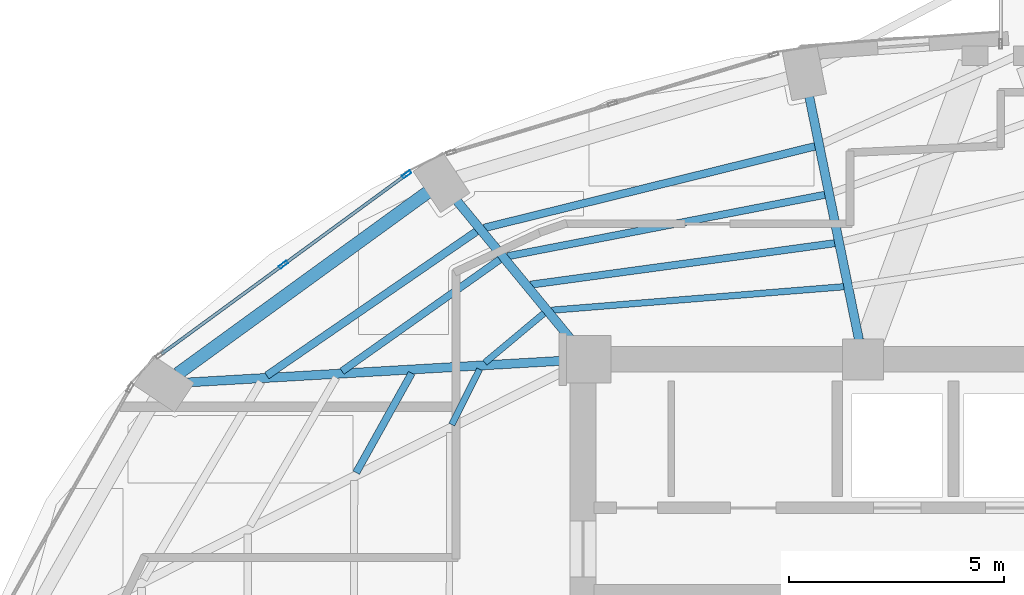
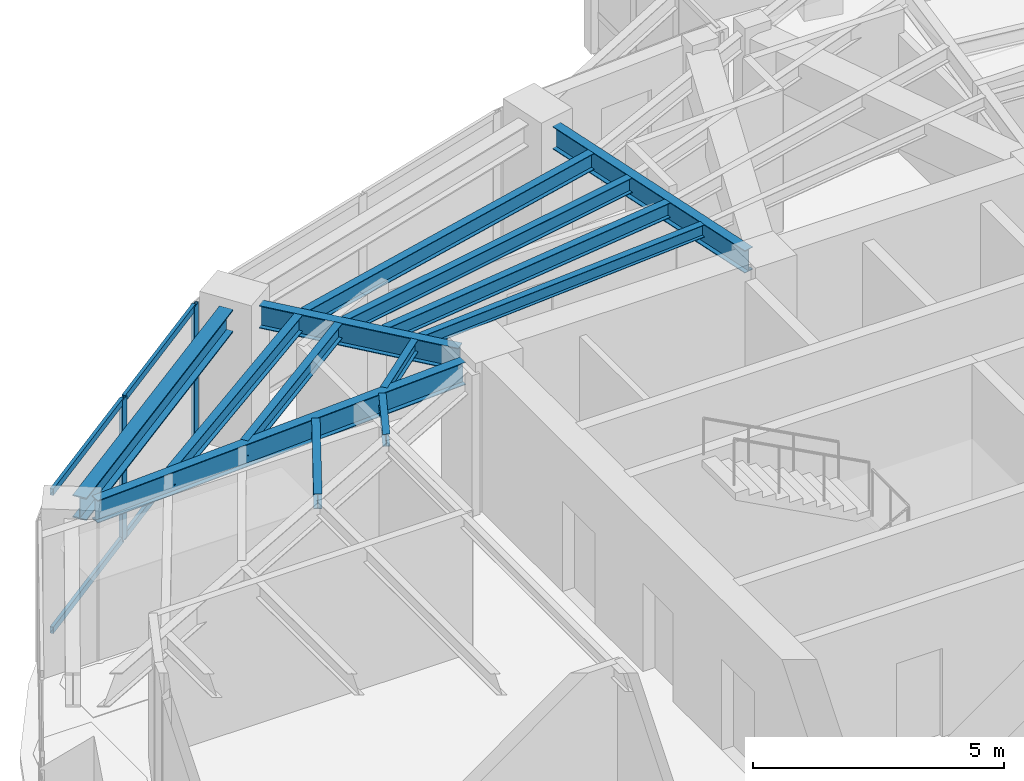
# One storey, part 7 of 20: 13 beams, 6 members, 1 element without a shape of its own.
"""IFC4 building model written with IfcOpenShell, lengths in metres."""

from ifc_helpers import new_model, si_unit, direction, frame, origin, origin_2d, place, context, subcontext, project, spatial, hollow_rectangle, i_section, extrude, material, layer, layer_set, material_profile, profile_set, type_object, element, aggregate, save


model = new_model("IFC4")

# Units and contexts
model_context = context("Model", 3, precision=1e-05, world=origin(), true_north=direction((0.0, 1.0)))
body_context = subcontext(model_context, "Body", "Model", "MODEL_VIEW")
ifc_project = project(units=[si_unit("LENGTHUNIT", "METRE"), si_unit("AREAUNIT", "SQUARE_METRE"), si_unit("VOLUMEUNIT", "CUBIC_METRE"), si_unit("PLANEANGLEUNIT", "RADIAN"), si_unit("MASSUNIT", "GRAM", prefix="KILO")], contexts=[model_context])

# Site, building, storey
site_placement = place(None, origin())
site = spatial("IfcSite", under=ifc_project, at=site_placement, CompositionType="ELEMENT")
building_placement = place(site_placement, origin())
building = spatial("IfcBuilding", under=site, at=building_placement, Name="Lazwardi Medical Tower", CompositionType="ELEMENT")
storey_placement = place(building_placement, frame((0.0, 0.0, 152.8798828125)))
storey = spatial("IfcBuildingStorey", under=building, at=storey_placement, Name="L39", CompositionType="ELEMENT", Elevation=152.8798828125)

# Beams
ifc_material_1 = material(Name="Steel S355", Category="steel")
ifc_material_profile_1 = material_profile(ifc_material_1, i_section(OverallWidth=0.300048828125, OverallDepth=0.550048828125, WebThickness=0.014892578125, FlangeThickness=0.029052734375, at=origin_2d()), Name="HEB 550")
ifc_profile_set_1 = profile_set([ifc_material_profile_1], Name="Steel S355")
beam_type_1 = type_object("IfcBeamType", Name="BM-RB-Z3", PredefinedType="BEAM", material=ifc_profile_set_1)
beam_1_placement = place(storey_placement, frame((22.689697265625, 39.479248046875, 3.153076171875), z_axis=(-0.809127570774, -0.587633026824, 0.0), x_axis=(0.587633026824, -0.809127570774, 0.0)))
element("IfcBeam", 1, at=beam_1_placement, inside=storey, type_object=beam_type_1, Name="Ring beam RB-04 B10 L39", PredefinedType="BEAM", context=body_context, shape_type="SweptSolid", body=[
    extrude(i_section(OverallWidth=0.300048828125, OverallDepth=0.550048828125, WebThickness=0.014892578125, FlangeThickness=0.029052734375, at=origin_2d()), origin(), (0.0, 0.0, 1.0), 7.170166015625),
])
ifc_material_profile_2 = material_profile(ifc_material_1, i_section(OverallWidth=0.2099609375, OverallDepth=0.550048828125, WebThickness=0.010986328125, FlangeThickness=0.01708984375, at=origin_2d()), Name="IPE 550")
ifc_profile_set_2 = profile_set([ifc_material_profile_2], Name="Steel S355")
beam_type_2 = type_object("IfcBeamType", Name="BM-RG-W2", PredefinedType="BEAM", material=ifc_profile_set_2)
beam_2_placement = place(storey_placement, frame((31.552001953125, 41.7001953125, 3.153076171875), z_axis=(0.200429485343, -0.979708130723, 0.0), x_axis=(0.979708130723, 0.200429485343, 0.0)))
element("IfcBeam", 2, at=beam_2_placement, inside=storey, type_object=beam_type_2, Name="Radial girder RG-03 R09 L39", PredefinedType="BEAM", context=body_context, shape_type="SweptSolid", body=[
    extrude(i_section(OverallWidth=0.2099609375, OverallDepth=0.550048828125, WebThickness=0.010986328125, FlangeThickness=0.01708984375, at=origin_2d()), origin(), (0.0, 0.0, 1.0), 5.766357421875),
])
beam_3_placement = place(storey_placement, frame((23.369384765625, 39.28173828125, 3.153076171875), z_axis=(0.635555639966, -0.772055068312, 0.0), x_axis=(0.772055068312, 0.635555639966, 0.0)))
element("IfcBeam", 3, at=beam_3_placement, inside=storey, type_object=beam_type_2, Name="Radial girder RG-03 R10 L39", PredefinedType="BEAM", context=body_context, shape_type="SweptSolid", body=[
    extrude(i_section(OverallWidth=0.2099609375, OverallDepth=0.550048828125, WebThickness=0.010986328125, FlangeThickness=0.01708984375, at=origin_2d()), origin(), (0.0, 0.0, 1.0), 4.233642578125),
])
beam_4_placement = place(storey_placement, frame((17.12353515625, 35.063232421875, 3.153076171875), z_axis=(0.998330154646, 0.057765927014, 0.0), x_axis=(-0.057765927014, 0.998330154646, 0.0)))
element("IfcBeam", 4, at=beam_4_placement, inside=storey, type_object=beam_type_2, Name="Radial girder RG-03 R11 L39", PredefinedType="BEAM", context=body_context, shape_type="SweptSolid", body=[
    extrude(i_section(OverallWidth=0.2099609375, OverallDepth=0.550048828125, WebThickness=0.010986328125, FlangeThickness=0.01708984375, at=origin_2d()), origin(), (0.0, 0.0, 1.0), 8.757080078125),
])
ifc_material_profile_3 = material_profile(ifc_material_1, i_section(OverallWidth=0.179931640625, OverallDepth=0.39990234375, WebThickness=0.008544921875, FlangeThickness=0.013427734375, at=origin_2d()), Name="IPE 400")
ifc_profile_set_3 = profile_set([ifc_material_profile_3], Name="Steel S355")
beam_type_3 = type_object("IfcBeamType", Name="BM-SJ-01", PredefinedType="JOIST", material=ifc_profile_set_3)
beam_5_placement = place(storey_placement, frame((31.68603515625, 40.54638671875, 3.22802734375), z_axis=(-0.970912648168, -0.239433977597, 0.0), x_axis=(0.239433977597, -0.970912648168, 0.0)))
element("IfcBeam", 5, at=beam_5_placement, inside=storey, type_object=beam_type_3, Name="Secondary joist SJ-01 R1 B09 L39", PredefinedType="JOIST", context=body_context, shape_type="SweptSolid", body=[
    extrude(i_section(OverallWidth=0.179931640625, OverallDepth=0.39990234375, WebThickness=0.008544921875, FlangeThickness=0.013427734375, at=origin_2d()), origin(), (0.0, 0.0, 1.0), 7.91162109375),
])
beam_6_placement = place(storey_placement, frame((23.8251953125, 38.5712890625, 3.22802734375), z_axis=(-0.823932256005, -0.566688307198, 0.0), x_axis=(0.566688307198, -0.823932256005, 0.0)))
element("IfcBeam", 6, at=beam_6_placement, inside=storey, type_object=beam_type_3, Name="Secondary joist SJ-01 R1 B10 L39", PredefinedType="JOIST", context=body_context, shape_type="SweptSolid", body=[
    extrude(i_section(OverallWidth=0.179931640625, OverallDepth=0.39990234375, WebThickness=0.008544921875, FlangeThickness=0.013427734375, at=origin_2d()), origin(), (0.0, 0.0, 1.0), 5.91162109375),
])
ifc_material_profile_4 = material_profile(ifc_material_1, i_section(OverallWidth=0.169921875, OverallDepth=0.360107421875, WebThickness=0.008056640625, FlangeThickness=0.0126953125, at=origin_2d()), Name="IPE 360")
ifc_profile_set_4 = profile_set([ifc_material_profile_4], Name="Steel S355")
beam_type_4 = type_object("IfcBeamType", Name="BM-SJ-02", PredefinedType="JOIST", material=ifc_profile_set_4)
beam_7_placement = place(storey_placement, frame((31.916015625, 39.42138671875, 3.248046875), z_axis=(-0.981753035865, -0.190160396953, 0.0), x_axis=(0.190160396953, -0.981753035865, 0.0)))
element("IfcBeam", 7, at=beam_7_placement, inside=storey, type_object=beam_type_4, Name="Secondary joist SJ-02 R2 B09 L39", PredefinedType="JOIST", context=body_context, shape_type="SweptSolid", body=[
    extrude(i_section(OverallWidth=0.169921875, OverallDepth=0.360107421875, WebThickness=0.008056640625, FlangeThickness=0.0126953125, at=origin_2d()), origin(), (0.0, 0.0, 1.0), 7.50927734375),
])
beam_8_placement = place(storey_placement, frame((24.364013671875, 37.91650390625, 3.248046875), z_axis=(-0.816108950798, -0.577898070967, 0.0), x_axis=(0.577898070967, -0.816108950798, 0.0)))
element("IfcBeam", 8, at=beam_8_placement, inside=storey, type_object=beam_type_4, Name="Secondary joist SJ-02 R2 B10 L39", PredefinedType="JOIST", context=body_context, shape_type="SweptSolid", body=[
    extrude(i_section(OverallWidth=0.169921875, OverallDepth=0.360107421875, WebThickness=0.008056640625, FlangeThickness=0.0126953125, at=origin_2d()), origin(), (0.0, 0.0, 1.0), 4.487060546875),
])
beam_9_placement = place(storey_placement, frame((32.146484375, 38.297119140625, 3.248046875), z_axis=(-0.990832043476, -0.135099450852, 0.0), x_axis=(0.135099450852, -0.990832043476, 0.0)))
element("IfcBeam", 9, at=beam_9_placement, inside=storey, type_object=beam_type_4, Name="Secondary joist SJ-02 R3 B09 L39", PredefinedType="JOIST", context=body_context, shape_type="SweptSolid", body=[
    extrude(i_section(OverallWidth=0.169921875, OverallDepth=0.360107421875, WebThickness=0.008056640625, FlangeThickness=0.0126953125, at=origin_2d()), origin(), (0.0, 0.0, 1.0), 7.129150390625),
])
beam_10_placement = place(storey_placement, frame((22.3203125, 35.279296875, 3.248046875), z_axis=(-0.487099444348, -0.87334651274, 0.0), x_axis=(0.87334651274, -0.487099444348, 0.0)))
element("IfcBeam", 10, at=beam_10_placement, inside=storey, type_object=beam_type_4, Name="Secondary joist SJ-02 R3 B11 L39", PredefinedType="JOIST", context=body_context, shape_type="SweptSolid", body=[
    extrude(i_section(OverallWidth=0.169921875, OverallDepth=0.360107421875, WebThickness=0.008056640625, FlangeThickness=0.0126953125, at=origin_2d()), origin(), (0.0, 0.0, 1.0), 2.64599609375),
])
ifc_material_profile_5 = material_profile(ifc_material_1, i_section(OverallWidth=0.14990234375, OverallDepth=0.300048828125, WebThickness=0.007080078125, FlangeThickness=0.0107421875, at=origin_2d()), Name="IPE 300")
ifc_profile_set_5 = profile_set([ifc_material_profile_5], Name="Steel S355")
beam_type_5 = type_object("IfcBeamType", Name="BM-SJ-03", PredefinedType="JOIST", material=ifc_profile_set_5)
beam_11_placement = place(storey_placement, frame((32.353759765625, 37.28564453125, 3.278076171875), z_axis=(-0.996785792338, -0.08011294647, 0.0), x_axis=(0.08011294647, -0.996785792338, 0.0)))
element("IfcBeam", 11, at=beam_11_placement, inside=storey, type_object=beam_type_5, Name="Secondary joist SJ-03 R4 B09 L39", PredefinedType="JOIST", context=body_context, shape_type="SweptSolid", body=[
    extrude(i_section(OverallWidth=0.14990234375, OverallDepth=0.300048828125, WebThickness=0.007080078125, FlangeThickness=0.0107421875, at=origin_2d()), origin(), (0.0, 0.0, 1.0), 6.80810546875),
])
beam_12_placement = place(storey_placement, frame((25.391357421875, 36.668212890625, 3.278076171875), z_axis=(-0.767437193893, -0.641124132621, 0.0), x_axis=(0.641124132621, -0.767437193893, 0.0)))
element("IfcBeam", 12, at=beam_12_placement, inside=storey, type_object=beam_type_5, Name="Secondary joist SJ-03 R4 B10 L39", PredefinedType="JOIST", context=body_context, shape_type="SweptSolid", body=[
    extrude(i_section(OverallWidth=0.14990234375, OverallDepth=0.300048828125, WebThickness=0.007080078125, FlangeThickness=0.0107421875, at=origin_2d()), origin(), (0.0, 0.0, 1.0), 1.787841796875),
])
beam_13_placement = place(storey_placement, frame((23.8974609375, 35.368408203125, 3.278076171875), z_axis=(-0.450406075332, -0.892823816497, 0.0), x_axis=(0.892823816497, -0.450406075332, 0.0)))
element("IfcBeam", 13, at=beam_13_placement, inside=storey, type_object=beam_type_5, Name="Secondary joist SJ-03 R4 B11 L39", PredefinedType="JOIST", context=body_context, shape_type="SweptSolid", body=[
    extrude(i_section(OverallWidth=0.14990234375, OverallDepth=0.300048828125, WebThickness=0.007080078125, FlangeThickness=0.0107421875, at=origin_2d()), origin(), (0.0, 0.0, 1.0), 1.4365234375),
])

# Curtain wall, members
ifc_material_2 = material(Name="Anodised bronze aluminium and solar control glazing", Category="aluminium")
ifc_layer = layer(ifc_material_2, 0.195068359375)
ifc_layer_set = layer_set([ifc_layer], Name="Anodised bronze aluminium and solar control glazing")
curtain_wall_type = type_object("IfcCurtainWallType", Name="CW-SYS-03", PredefinedType="NOTDEFINED", material=ifc_layer_set)
curtain_wall_placement = place(storey_placement, origin())
curtain_wall = element("IfcCurtainWall", 14, at=curtain_wall_placement, inside=storey, type_object=curtain_wall_type, Name="L39 Unitised bronze curtain wall CW-03", PredefinedType="NOTDEFINED")
ifc_material_3 = material(Name="Anodised bronze aluminium", Category="aluminium")
ifc_material_profile_6 = material_profile(ifc_material_3, hollow_rectangle(XDim=0.074951171875, YDim=0.219970703125, WallThickness=0.00390625, at=origin_2d()), Name="ALU-MULLION 220x75x4")
ifc_profile_set_6 = profile_set([ifc_material_profile_6], Name="Anodised bronze aluminium")
member_type_1 = type_object("IfcMemberType", Name="CW-MUL-01", PredefinedType="MULLION", material=ifc_profile_set_6)
member_1_placement = place(storey_placement, frame((22.204345703125, 39.894775390625, 0.0), z_axis=(0.0, 0.0, 1.0), x_axis=(0.590833862635, -0.806793249082, 0.0)))
member_1 = element("IfcMember", 15, at=member_1_placement, type_object=member_type_1, Name="CW-03 mullion 1", PredefinedType="MULLION", context=body_context, shape_type="SweptSolid", body=[
    extrude(hollow_rectangle(XDim=0.074951171875, YDim=0.219970703125, WallThickness=0.00390625, at=origin_2d()), origin(), (0.0, 0.0, 1.0), 3.42822265625),
])
member_2_placement = place(storey_placement, frame((19.34228515625, 37.798828125, 0.0), z_axis=(0.0, 0.0, 1.0), x_axis=(0.590833862635, -0.806793249082, 0.0)))
member_2 = element("IfcMember", 16, at=member_2_placement, type_object=member_type_1, Name="CW-03 mullion 2", PredefinedType="MULLION", context=body_context, shape_type="SweptSolid", body=[
    extrude(hollow_rectangle(XDim=0.074951171875, YDim=0.219970703125, WallThickness=0.00390625, at=origin_2d()), origin(), (0.0, 0.0, 1.0), 3.42822265625),
])
ifc_material_profile_7 = material_profile(ifc_material_3, hollow_rectangle(XDim=0.074951171875, YDim=0.159912109375, WallThickness=0.00390625, at=origin_2d()), Name="ALU-TRANSOM 160x75x4")
ifc_profile_set_7 = profile_set([ifc_material_profile_7], Name="Anodised bronze aluminium")
member_type_2 = type_object("IfcMemberType", Name="CW-TRN-01", PredefinedType="USERDEFINED", material=ifc_profile_set_7)
member_3_placement = place(storey_placement, frame((22.174072265625, 39.872802734375, 0.03759765625), z_axis=(-0.806773646358, -0.590860629542, 0.0), x_axis=(0.590860629542, -0.806773646358, 0.0)))
member_3 = element("IfcMember", 17, at=member_3_placement, type_object=member_type_2, Name="CW-03 transom 1.1", ObjectType="TRANSOM", PredefinedType="USERDEFINED", context=body_context, shape_type="SweptSolid", body=[
    extrude(hollow_rectangle(XDim=0.074951171875, YDim=0.159912109375, WallThickness=0.00390625, at=origin_2d()), origin(), (0.0, 0.0, 1.0), 3.472412109375),
])
member_4_placement = place(storey_placement, frame((22.174072265625, 39.872802734375, 3.390625), z_axis=(-0.806773646358, -0.590860629542, 0.0), x_axis=(0.590860629542, -0.806773646358, 0.0)))
member_4 = element("IfcMember", 18, at=member_4_placement, type_object=member_type_2, Name="CW-03 transom 1.2", ObjectType="TRANSOM", PredefinedType="USERDEFINED", context=body_context, shape_type="SweptSolid", body=[
    extrude(hollow_rectangle(XDim=0.074951171875, YDim=0.159912109375, WallThickness=0.00390625, at=origin_2d()), origin(), (0.0, 0.0, 1.0), 3.472412109375),
])
member_5_placement = place(storey_placement, frame((19.31201171875, 37.77685546875, 0.03759765625), z_axis=(-0.806773646358, -0.590860629542, 0.0), x_axis=(0.590860629542, -0.806773646358, 0.0)))
member_5 = element("IfcMember", 19, at=member_5_placement, type_object=member_type_2, Name="CW-03 transom 2.1", ObjectType="TRANSOM", PredefinedType="USERDEFINED", context=body_context, shape_type="SweptSolid", body=[
    extrude(hollow_rectangle(XDim=0.074951171875, YDim=0.159912109375, WallThickness=0.00390625, at=origin_2d()), origin(), (0.0, 0.0, 1.0), 3.472412109375),
])
member_6_placement = place(storey_placement, frame((19.31201171875, 37.77685546875, 3.390625), z_axis=(-0.806773646358, -0.590860629542, 0.0), x_axis=(0.590860629542, -0.806773646358, 0.0)))
member_6 = element("IfcMember", 20, at=member_6_placement, type_object=member_type_2, Name="CW-03 transom 2.2", ObjectType="TRANSOM", PredefinedType="USERDEFINED", context=body_context, shape_type="SweptSolid", body=[
    extrude(hollow_rectangle(XDim=0.074951171875, YDim=0.159912109375, WallThickness=0.00390625, at=origin_2d()), origin(), (0.0, 0.0, 1.0), 3.472412109375),
])
aggregate(curtain_wall, [member_1, member_2, member_3, member_4, member_5, member_6])

save(model, "model.ifc")
